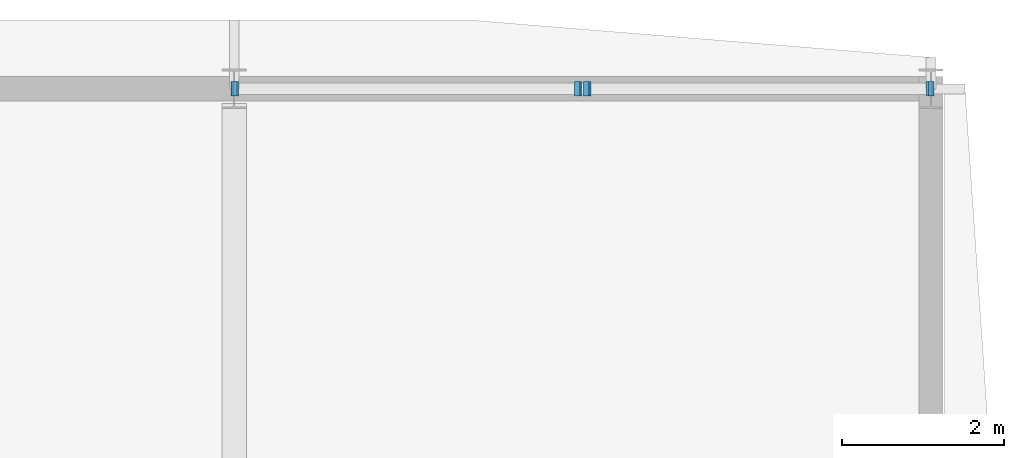
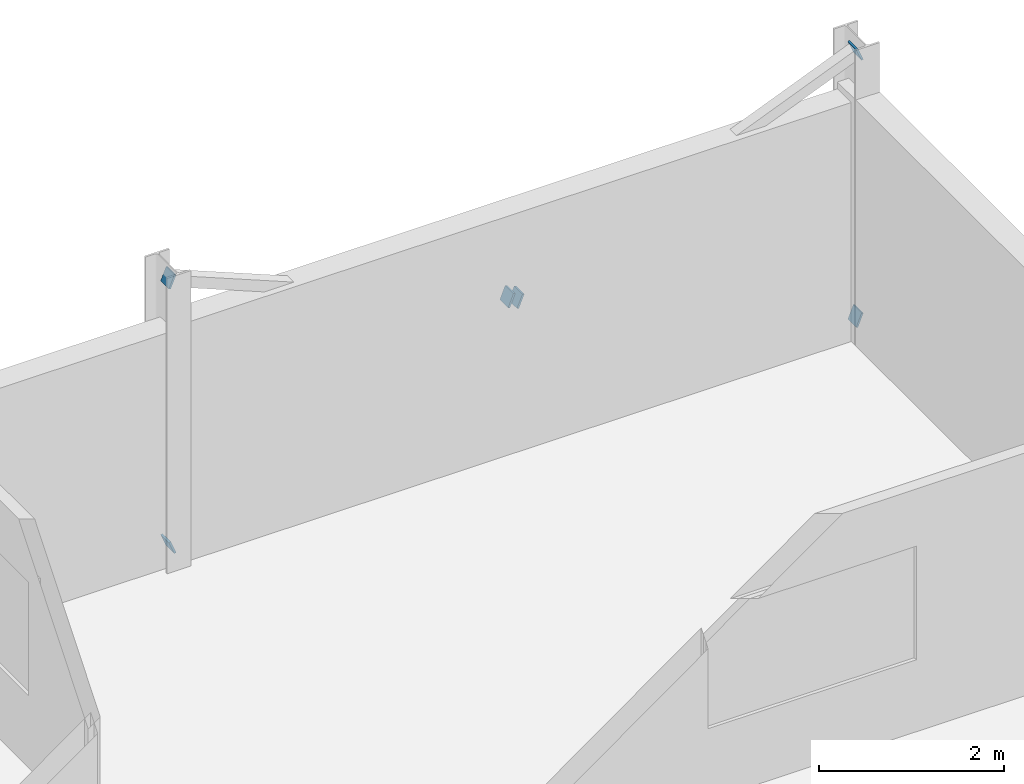
# One storey, part 60 of 78: 6 plates.
"""IFC4 building model written with IfcOpenShell, lengths in metres."""

from ifc_helpers import new_model, si_unit, direction, frame, origin, origin_2d, place, context, subcontext, project, spatial, rectangle, extrude, material, material_profile, profile_set, type_object, element, save


model = new_model("IFC4")

# Units and contexts
model_context = context("Model", 3, precision=1e-05, world=origin(), true_north=direction((0.0, 1.0)))
body_context = subcontext(model_context, "Body", "Model", "MODEL_VIEW")
ifc_project = project(units=[si_unit("LENGTHUNIT", "METRE"), si_unit("AREAUNIT", "SQUARE_METRE"), si_unit("VOLUMEUNIT", "CUBIC_METRE"), si_unit("PLANEANGLEUNIT", "RADIAN"), si_unit("MASSUNIT", "GRAM", prefix="KILO")], contexts=[model_context])

# Site, building, storey
site_placement = place(None, origin())
site = spatial("IfcSite", under=ifc_project, at=site_placement, CompositionType="ELEMENT")
building_placement = place(site_placement, origin())
building = spatial("IfcBuilding", under=site, at=building_placement, Name="Vinh Khe Railworks Police Headquarters", CompositionType="ELEMENT")
storey_placement = place(building_placement, frame((0.0, 0.0, 13.199951171875)))
storey = spatial("IfcBuildingStorey", under=building, at=storey_placement, Name="L03", CompositionType="ELEMENT", Elevation=13.199951171875)

# Plates
ifc_material = material(Name="Steel S355JR", Category="steel")
ifc_material_profile = material_profile(ifc_material, rectangle(XDim=0.179931640625, YDim=0.179931640625, at=origin_2d()), Name="PL 180x180")
ifc_profile_set = profile_set([ifc_material_profile], Name="Steel S355JR")
plate_type = type_object("IfcPlateType", Name="Steel End-Cap Plate 180x180x24", PredefinedType="SHEET", material=ifc_profile_set)
plate_1_placement = place(storey_placement, frame((105.02001953125, 166.39990234375, 0.199951171875), z_axis=(-0.926355609378, 0.0, -0.376650082934), x_axis=(0.0, -1.0, 0.0)))
element("IfcPlate", 1, at=plate_1_placement, inside=storey, type_object=plate_type, Name="End-Cap Gusset Plate PLT-EP-0691", PredefinedType="SHEET", context=body_context, shape_type="SweptSolid", body=[
    extrude(rectangle(XDim=0.179931640625, YDim=0.179931640625, at=origin_2d()), origin(), (0.0, 0.0, 1.0), 0.02392578125),
])
plate_2_placement = place(storey_placement, frame((105.02001953125, 166.39990234375, 3.699951171875), z_axis=(-0.922776630345, 0.0, 0.385335296188), x_axis=(0.0, -1.0, 0.0)))
element("IfcPlate", 2, at=plate_2_placement, inside=storey, type_object=plate_type, Name="End-Cap Gusset Plate PLT-EP-0692", PredefinedType="SHEET", context=body_context, shape_type="SweptSolid", body=[
    extrude(rectangle(XDim=0.179931640625, YDim=0.179931640625, at=origin_2d()), origin(), (0.0, 0.0, 1.0), 0.024169921875),
])
plate_3_placement = place(storey_placement, frame((109.232666015625, 166.39990234375, 1.9775390625), z_axis=(0.926355609378, 0.0, -0.376650082934), x_axis=(0.0, 1.0, 0.0)))
element("IfcPlate", 3, at=plate_3_placement, inside=storey, type_object=plate_type, Name="End-Cap Gusset Plate PLT-EP-0706", PredefinedType="SHEET", context=body_context, shape_type="SweptSolid", body=[
    extrude(rectangle(XDim=0.179931640625, YDim=0.179931640625, at=origin_2d()), origin(), (0.0, 0.0, 1.0), 0.02392578125),
])
plate_4_placement = place(storey_placement, frame((109.367431640625, 166.39990234375, 1.92236328125), z_axis=(-0.922776630345, 0.0, 0.385335296188), x_axis=(0.0, -1.0, 0.0)))
element("IfcPlate", 4, at=plate_4_placement, inside=storey, type_object=plate_type, Name="End-Cap Gusset Plate PLT-EP-0709", PredefinedType="SHEET", context=body_context, shape_type="SweptSolid", body=[
    extrude(rectangle(XDim=0.179931640625, YDim=0.179931640625, at=origin_2d()), origin(), (0.0, 0.0, 1.0), 0.024169921875),
])
plate_5_placement = place(storey_placement, frame((113.580078125, 166.39990234375, 0.199951171875), z_axis=(0.926355609378, 0.0, -0.376650082934), x_axis=(0.0, 1.0, 0.0)))
element("IfcPlate", 5, at=plate_5_placement, inside=storey, type_object=plate_type, Name="End-Cap Gusset Plate PLT-EP-0719", PredefinedType="SHEET", context=body_context, shape_type="SweptSolid", body=[
    extrude(rectangle(XDim=0.179931640625, YDim=0.179931640625, at=origin_2d()), origin(), (0.0, 0.0, 1.0), 0.02392578125),
])
plate_6_placement = place(storey_placement, frame((113.580078125, 166.39990234375, 3.699951171875), z_axis=(0.922776630345, 0.0, 0.385335296188), x_axis=(0.0, 1.0, 0.0)))
element("IfcPlate", 6, at=plate_6_placement, inside=storey, type_object=plate_type, Name="End-Cap Gusset Plate PLT-EP-0720", PredefinedType="SHEET", context=body_context, shape_type="SweptSolid", body=[
    extrude(rectangle(XDim=0.179931640625, YDim=0.179931640625, at=origin_2d()), origin(), (0.0, 0.0, 1.0), 0.024169921875),
])

save(model, "model.ifc")
